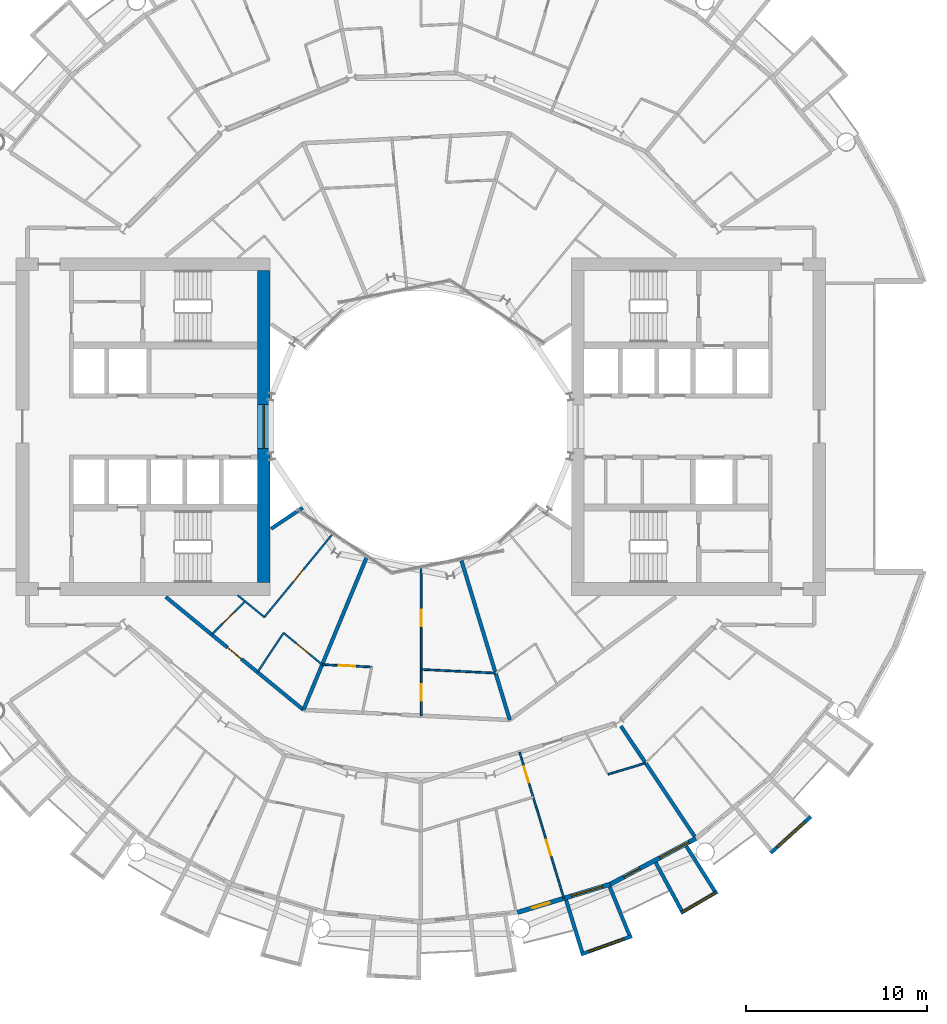
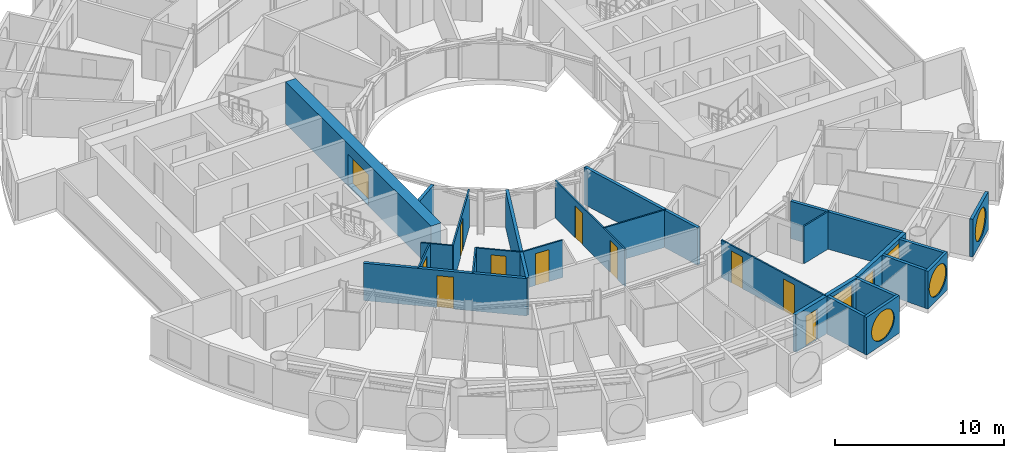
# One storey, part 15 of 26: 25 walls, 11 doors, 6 windows, 17 openings.
"""IFC4 building model written with IfcOpenShell, lengths in metres."""

from ifc_helpers import new_model, si_unit, direction, frame, frame_2d, origin, place, context, subcontext, project, spatial, rectangle, circle, extrude, material, layer, layer_set, type_object, element, fill, save


model = new_model("IFC4")

# Units and contexts
model_context = context("Model", 3, precision=1e-05, world=origin(), true_north=direction((0.0, 1.0)))
body_context = subcontext(model_context, "Body", "Model", "MODEL_VIEW")
ifc_project = project(units=[si_unit("LENGTHUNIT", "METRE"), si_unit("AREAUNIT", "SQUARE_METRE"), si_unit("VOLUMEUNIT", "CUBIC_METRE"), si_unit("PLANEANGLEUNIT", "RADIAN"), si_unit("MASSUNIT", "GRAM", prefix="KILO")], contexts=[model_context])

# Site, building, storey
site_placement = place(None, origin())
site = spatial("IfcSite", under=ifc_project, at=site_placement, CompositionType="ELEMENT")
building_placement = place(site_placement, origin())
building = spatial("IfcBuilding", under=site, at=building_placement, Name="Maasbend Ring Residences", CompositionType="ELEMENT")
storey_placement = place(building_placement, frame((0.0, 0.0, 69.699951171875)))
storey = spatial("IfcBuildingStorey", under=building, at=storey_placement, Name="L19", CompositionType="ELEMENT", Elevation=69.699951171875)

# Wall, opening, window
ifc_material_1 = material(Name="Concrete C70/85", Category="concrete")
ifc_layer_1 = layer(ifc_material_1, 0.699951171875)
ifc_layer_set_1 = layer_set([ifc_layer_1], Name="Concrete C70/85")
wall_type_1 = type_object("IfcWallType", Name="CORE WALL 700 C70/85", PredefinedType="SHEAR", material=ifc_layer_set_1)
wall_1_placement = place(storey_placement, frame((-8.64990234375, 8.60009765625, 0.0), z_axis=(0.0, 0.0, 1.0), x_axis=(0.0, -1.0, 0.0)))
wall_1 = element("IfcWall", 1, at=wall_1_placement, inside=storey, type_object=wall_type_1, Name="L19 core W wall PIN", PredefinedType="SHEAR", context=body_context, shape_type="SweptSolid", body=[
    extrude(rectangle(XDim=17.2001953125, YDim=0.699951171875, at=frame_2d((8.60009765625, 0.0))), origin(), (0.0, 0.0, 1.0), 3.050048828125),
])
opening_1_placement = place(wall_1_placement, frame((7.39990234375, 0.0, 0.10009765625)))
opening_1 = element("IfcOpeningElement", 2, at=opening_1_placement, cuts=wall_1, Name="Opening W-W1901", PredefinedType="OPENING", context=body_context, shape_type="SweptSolid", body=[
    extrude(rectangle(XDim=2.39990234375, YDim=2.199951171875, at=frame_2d((1.199951171875, 1.10009765625))), frame((0.0, 0.35986328125, 0.0), z_axis=(0.0, -1.0, 0.0), x_axis=(1.0, 0.0, 0.0)), (0.0, 0.0, 1.0), 0.719970703125),
])
ifc_material_2 = material(Name="Aluminium frame and clear glass", Category="aluminium")
window_type_1 = type_object("IfcWindowType", Name="FIXED WINDOW 2400 X 2200", PartitioningType="SINGLE_PANEL", PredefinedType="WINDOW", material=ifc_material_2)
window_1_placement = place(opening_1_placement, origin())
window_1 = element("IfcWindow", 3, at=window_1_placement, inside=storey, type_object=window_type_1, Name="Lobby window L19", OverallHeight=2.199951171875, OverallWidth=2.39990234375, PartitioningType="SINGLE_PANEL", PredefinedType="WINDOW", context=body_context, shape_type="SweptSolid", body=[
    extrude(rectangle(XDim=2.39990234375, YDim=2.199951171875, at=frame_2d((1.199951171875, 1.10009765625))), frame((0.0, 0.030029296875, 0.0), z_axis=(0.0, -1.0, 0.0), x_axis=(1.0, 0.0, 0.0)), (0.0, 0.0, 1.0), 0.06005859375),
])
fill(opening_1, window_1)

# Wall, opening, door
ifc_material_3 = material(Name="Concrete C30/37", Category="concrete")
ifc_layer_2 = layer(ifc_material_3, 0.199951171875)
ifc_layer_set_2 = layer_set([ifc_layer_2], Name="Concrete C30/37")
wall_type_2 = type_object("IfcWallType", Name="CORRIDOR WALL 200 CONCRETE", PredefinedType="PARTITIONING", material=ifc_layer_set_2)
wall_2_placement = place(storey_placement, frame((-14.050048828125, -9.39208984375, 0.0), z_axis=(0.0, 0.0, 1.0), x_axis=(0.773074935257, -0.634314704605, 0.0)))
wall_2 = element("IfcWall", 4, at=wall_2_placement, inside=storey, type_object=wall_type_2, Name="U-L19-w015", PredefinedType="PARTITIONING", context=body_context, shape_type="SweptSolid", body=[
    extrude(rectangle(XDim=9.808837890625, YDim=0.199951171875, at=frame_2d((4.904296875, 0.0))), origin(), (0.0, 0.0, 1.0), 2.699951171875),
])
opening_2_placement = place(wall_2_placement, frame((4.402099609375, 0.0, 0.0)))
opening_2 = element("IfcOpeningElement", 5, at=opening_2_placement, cuts=wall_2, Name="Opening D-1953", PredefinedType="OPENING", context=body_context, shape_type="SweptSolid", body=[
    extrude(rectangle(XDim=1.0, YDim=2.300048828125, at=frame_2d((0.5, 1.14990234375))), frame((0.0, 0.10986328125, 0.0), z_axis=(0.0, -1.0, 0.0), x_axis=(1.0, 0.0, 0.0)), (0.0, 0.0, 1.0), 0.219970703125),
])
ifc_material_4 = material(Name="Timber, fire-rated, painted", Category="wood")
door_type_1 = type_object("IfcDoorType", Name="FLAT ENTRANCE DOOR 1000 X 2300 FIRE-RATED", OperationType="NOTDEFINED", PredefinedType="DOOR", material=ifc_material_4)
door_1_placement = place(opening_2_placement, origin())
door_1 = element("IfcDoor", 6, at=door_1_placement, inside=storey, type_object=door_type_1, Name="D-1953", OperationType="SINGLE_SWING_LEFT", OverallHeight=2.300048828125, OverallWidth=1.0, PredefinedType="DOOR", context=body_context, shape_type="SweptSolid", body=[
    extrude(rectangle(XDim=1.0, YDim=2.300048828125, at=frame_2d((0.5, 1.14990234375))), frame((0.0, 0.02490234375, 0.0), z_axis=(0.0, -1.0, 0.0), x_axis=(1.0, 0.0, 0.0)), (0.0, 0.0, 1.0), 0.050048828125),
])
fill(opening_2, door_1)

# Wall, opening, window
ifc_material_5 = material(Name="Pale anodised aluminium panel", Category="aluminium")
ifc_layer_3 = layer(ifc_material_5, 0.199951171875)
ifc_layer_set_3 = layer_set([ifc_layer_3], Name="EW-BOX")
wall_type_3 = type_object("IfcWallType", Name="EW-BOX", PredefinedType="SOLIDWALL", material=ifc_layer_set_3)
wall_3_placement = place(storey_placement, frame((8.820068359375, -29.093017578125, -0.030029296875), z_axis=(0.0, 0.0, 1.0), x_axis=(0.941461077774, 0.337121697664, 0.0)))
wall_3 = element("IfcWall", 7, at=wall_3_placement, inside=storey, type_object=wall_type_3, Name="Box front S14", PredefinedType="SOLIDWALL", context=body_context, shape_type="SweptSolid", body=[
    extrude(rectangle(XDim=2.9931640625, YDim=0.199951171875, at=frame_2d((1.49658203125, 0.0))), origin(), (0.0, 0.0, 1.0), 2.72998046875),
])
opening_3_placement = place(wall_3_placement, frame((0.45654296875, 0.0, 0.330078125)))
opening_3 = element("IfcOpeningElement", 8, at=opening_3_placement, cuts=wall_3, Name="Opening W-RD", PredefinedType="OPENING", context=body_context, shape_type="SweptSolid", body=[
    extrude(circle(Radius=1.0400390625, at=frame_2d((1.0400390625, 1.0400390625))), frame((0.0, 0.10986328125, 0.0), z_axis=(0.0, -1.0, 0.0), x_axis=(1.0, 0.0, 0.0)), (0.0, 0.0, 1.0), 0.219970703125),
])
ifc_material_6 = material(Name="Aluminium and clear glass", Category="aluminium")
window_type_2 = type_object("IfcWindowType", Name="W-RD", PartitioningType="SINGLE_PANEL", PredefinedType="WINDOW", material=ifc_material_6)
window_2_placement = place(opening_3_placement, origin())
window_2 = element("IfcWindow", 9, at=window_2_placement, inside=storey, type_object=window_type_2, Name="Round window S14", OverallHeight=2.080078125, OverallWidth=2.080078125, PartitioningType="SINGLE_PANEL", PredefinedType="WINDOW", context=body_context, shape_type="SweptSolid", body=[
    extrude(circle(Radius=1.0400390625, at=frame_2d((1.0400390625, 1.0400390625))), frame((0.0, 0.030029296875, 0.0), z_axis=(0.0, -1.0, 0.0), x_axis=(1.0, 0.0, 0.0)), (0.0, 0.0, 1.0), 0.06005859375),
])
fill(opening_3, window_2)

# Walls
wall_4_placement = place(storey_placement, frame((8.009033203125, -26.092041015625, -0.030029296875), z_axis=(0.0, 0.0, 1.0), x_axis=(0.293406695073, -0.955987715029, 0.0)))
element("IfcWall", 10, at=wall_4_placement, inside=storey, type_object=wall_type_3, Name="Box side wall S14 left", PredefinedType="SOLIDWALL", context=body_context, shape_type="SweptSolid", body=[
    extrude(rectangle(XDim=3.00634765625, YDim=0.199951171875, at=frame_2d((1.503173828125, 0.0))), origin(), (0.0, 0.0, 1.0), 2.72998046875),
])
wall_5_placement = place(storey_placement, frame((10.408935546875, -25.364013671875, -0.030029296875), z_axis=(0.0, 0.0, 1.0), x_axis=(0.379509886562, -0.925187681501, 0.0)))
element("IfcWall", 11, at=wall_5_placement, inside=storey, type_object=wall_type_3, Name="Box side wall S14 right", PredefinedType="SOLIDWALL", context=body_context, shape_type="SweptSolid", body=[
    extrude(rectangle(XDim=2.882568359375, YDim=0.199951171875, at=frame_2d((1.44140625, 0.0))), origin(), (0.0, 0.0, 1.0), 2.72998046875),
])

# Wall, opening, window
wall_6_placement = place(storey_placement, frame((14.326904296875, -26.81201171875, -0.030029296875), z_axis=(0.0, 0.0, 1.0), x_axis=(0.863346521872, 0.504611517081, 0.0)))
wall_6 = element("IfcWall", 12, at=wall_6_placement, inside=storey, type_object=wall_type_3, Name="Box front S16", PredefinedType="SOLIDWALL", context=body_context, shape_type="SweptSolid", body=[
    extrude(rectangle(XDim=2.33642578125, YDim=0.199951171875, at=frame_2d((1.168212890625, 0.0))), origin(), (0.0, 0.0, 1.0), 2.72998046875),
])
opening_4_placement = place(wall_6_placement, frame((0.128173828125, 0.0, 0.330078125)))
opening_4 = element("IfcOpeningElement", 13, at=opening_4_placement, cuts=wall_6, Name="Opening W-RD", PredefinedType="OPENING", context=body_context, shape_type="SweptSolid", body=[
    extrude(circle(Radius=1.0400390625, at=frame_2d((1.0400390625, 1.0400390625))), frame((0.0, 0.10986328125, 0.0), z_axis=(0.0, -1.0, 0.0), x_axis=(1.0, 0.0, 0.0)), (0.0, 0.0, 1.0), 0.219970703125),
])
window_3_placement = place(opening_4_placement, origin())
window_3 = element("IfcWindow", 14, at=window_3_placement, inside=storey, type_object=window_type_2, Name="Round window S16", OverallHeight=2.080078125, OverallWidth=2.080078125, PartitioningType="SINGLE_PANEL", PredefinedType="WINDOW", context=body_context, shape_type="SweptSolid", body=[
    extrude(circle(Radius=1.0400390625, at=frame_2d((1.0400390625, 1.0400390625))), frame((0.0, 0.030029296875, 0.0), z_axis=(0.0, -1.0, 0.0), x_axis=(1.0, 0.0, 0.0)), (0.0, 0.0, 1.0), 0.06005859375),
])
fill(opening_4, window_3)

# Walls
wall_7_placement = place(storey_placement, frame((12.945068359375, -24.029052734375, -0.030029296875), z_axis=(0.0, 0.0, 1.0), x_axis=(0.474424310775, -0.88029629861, 0.0)))
element("IfcWall", 15, at=wall_7_placement, inside=storey, type_object=wall_type_3, Name="Box side wall S16 left", PredefinedType="SOLIDWALL", context=body_context, shape_type="SweptSolid", body=[
    extrude(rectangle(XDim=3.005859375, YDim=0.199951171875, at=frame_2d((1.5029296875, 0.0))), origin(), (0.0, 0.0, 1.0), 2.72998046875),
])
wall_8_placement = place(storey_placement, frame((14.635009765625, -23.1259765625, -0.030029296875), z_axis=(0.0, 0.0, 1.0), x_axis=(0.534437802731, -0.845207805816, 0.0)))
element("IfcWall", 16, at=wall_8_placement, inside=storey, type_object=wall_type_3, Name="Box side wall S16 right", PredefinedType="SOLIDWALL", context=body_context, shape_type="SweptSolid", body=[
    extrude(rectangle(XDim=2.931884765625, YDim=0.199951171875, at=frame_2d((1.4658203125, 0.0))), origin(), (0.0, 0.0, 1.0), 2.72998046875),
])

# Wall, opening, window
wall_9_placement = place(storey_placement, frame((19.281982421875, -23.5029296875, -0.030029296875), z_axis=(0.0, 0.0, 1.0), x_axis=(0.740998365753, 0.671506829416, 0.0)))
wall_9 = element("IfcWall", 17, at=wall_9_placement, inside=storey, type_object=wall_type_3, Name="Box front S18", PredefinedType="SOLIDWALL", context=body_context, shape_type="SweptSolid", body=[
    extrude(rectangle(XDim=2.9931640625, YDim=0.199951171875, at=frame_2d((1.49658203125, 0.0))), origin(), (0.0, 0.0, 1.0), 2.72998046875),
])
opening_5_placement = place(wall_9_placement, frame((0.45654296875, 0.0, 0.330078125)))
opening_5 = element("IfcOpeningElement", 18, at=opening_5_placement, cuts=wall_9, Name="Opening W-RD", PredefinedType="OPENING", context=body_context, shape_type="SweptSolid", body=[
    extrude(circle(Radius=1.0400390625, at=frame_2d((1.0400390625, 1.0400390625))), frame((0.0, 0.10986328125, 0.0), z_axis=(0.0, -1.0, 0.0), x_axis=(1.0, 0.0, 0.0)), (0.0, 0.0, 1.0), 0.219970703125),
])
window_4_placement = place(opening_5_placement, origin())
window_4 = element("IfcWindow", 19, at=window_4_placement, inside=storey, type_object=window_type_2, Name="Round window S18", OverallHeight=2.080078125, OverallWidth=2.080078125, PartitioningType="SINGLE_PANEL", PredefinedType="WINDOW", context=body_context, shape_type="SweptSolid", body=[
    extrude(circle(Radius=1.0400390625, at=frame_2d((1.0400390625, 1.0400390625))), frame((0.0, 0.030029296875, 0.0), z_axis=(0.0, -1.0, 0.0), x_axis=(1.0, 0.0, 0.0)), (0.0, 0.0, 1.0), 0.06005859375),
])
fill(opening_5, window_4)

# Wall, openings, door, window
ifc_material_7 = material(Name="Aluminium clad insulated panel", Category="aluminium")
ifc_layer_4 = layer(ifc_material_7, 0.25)
ifc_layer_set_4 = layer_set([ifc_layer_4], Name="EW-GL")
wall_type_4 = type_object("IfcWallType", Name="EW-GL", PredefinedType="SOLIDWALL", material=ifc_layer_set_4)
wall_10_placement = place(storey_placement, frame((5.325927734375, -26.77490234375, 0.0), z_axis=(0.0, 0.0, 1.0), x_axis=(0.956965678721, 0.290201119486, 0.0)))
wall_10 = element("IfcWall", 20, at=wall_10_placement, inside=storey, type_object=wall_type_4, Name="External wall S07", PredefinedType="SOLIDWALL", context=body_context, shape_type="SweptSolid", body=[
    extrude(rectangle(XDim=5.351318359375, YDim=0.25, at=frame_2d((2.67578125, 0.0))), origin(), (0.0, 0.0, 1.0), 2.699951171875),
])
opening_6_placement = place(wall_10_placement, frame((0.841064453125, 0.0, 0.0)))
opening_6 = element("IfcOpeningElement", 21, at=opening_6_placement, cuts=wall_10, Name="Opening D-LG", PredefinedType="OPENING", context=body_context, shape_type="SweptSolid", body=[
    extrude(rectangle(XDim=1.0, YDim=2.199951171875, at=frame_2d((0.5, 1.10009765625))), frame((0.0, 0.135009765625, 0.0), z_axis=(0.0, -1.0, 0.0), x_axis=(1.0, 0.0, 0.0)), (0.0, 0.0, 1.0), 0.27001953125),
])
opening_7_placement = place(wall_10_placement, frame((3.110595703125, 0.0, 0.300048828125)))
opening_7 = element("IfcOpeningElement", 22, at=opening_7_placement, cuts=wall_10, Name="Opening W-BX", PredefinedType="OPENING", context=body_context, shape_type="SweptSolid", body=[
    extrude(rectangle(XDim=1.800048828125, YDim=2.10009765625, at=frame_2d((0.89990234375, 1.050048828125))), frame((0.0, 0.135009765625, 0.0), z_axis=(0.0, -1.0, 0.0), x_axis=(1.0, 0.0, 0.0)), (0.0, 0.0, 1.0), 0.27001953125),
])
ifc_material_8 = material(Name="Aluminium and clear glass", Category="aluminium")
door_type_2 = type_object("IfcDoorType", Name="D-LG", OperationType="SINGLE_SWING_LEFT", PredefinedType="DOOR", material=ifc_material_8)
door_2_placement = place(opening_6_placement, origin())
door_2 = element("IfcDoor", 23, at=door_2_placement, inside=storey, type_object=door_type_2, Name="Loggia door S13", OperationType="SINGLE_SWING_LEFT", OverallHeight=2.199951171875, OverallWidth=1.0, PredefinedType="DOOR", context=body_context, shape_type="SweptSolid", body=[
    extrude(rectangle(XDim=1.0, YDim=2.199951171875, at=frame_2d((0.5, 1.10009765625))), frame((0.0, 0.02490234375, 0.0), z_axis=(0.0, -1.0, 0.0), x_axis=(1.0, 0.0, 0.0)), (0.0, 0.0, 1.0), 0.050048828125),
])
fill(opening_6, door_2)
ifc_material_9 = material(Name="Aluminium and clear glass", Category="aluminium")
window_type_3 = type_object("IfcWindowType", Name="W-BX", PartitioningType="DOUBLE_PANEL_VERTICAL", PredefinedType="WINDOW", material=ifc_material_9)
window_5_placement = place(opening_7_placement, origin())
window_5 = element("IfcWindow", 24, at=window_5_placement, inside=storey, type_object=window_type_3, Name="Window S14 room to box", OverallHeight=2.10009765625, OverallWidth=1.800048828125, PartitioningType="SINGLE_PANEL", PredefinedType="WINDOW", context=body_context, shape_type="SweptSolid", body=[
    extrude(rectangle(XDim=1.800048828125, YDim=2.10009765625, at=frame_2d((0.89990234375, 1.050048828125))), frame((0.0, 0.030029296875, 0.0), z_axis=(0.0, -1.0, 0.0), x_axis=(1.0, 0.0, 0.0)), (0.0, 0.0, 1.0), 0.06005859375),
])
fill(opening_7, window_5)

wall_11_placement = place(storey_placement, frame((10.447021484375, -25.221923828125, 0.0), z_axis=(0.0, 0.0, 1.0), x_axis=(0.881915646801, 0.471407246368, 0.0)))
wall_11 = element("IfcWall", 25, at=wall_11_placement, inside=storey, type_object=wall_type_4, Name="External wall S08", PredefinedType="SOLIDWALL", context=body_context, shape_type="SweptSolid", body=[
    extrude(rectangle(XDim=5.35205078125, YDim=0.25, at=frame_2d((2.676025390625, 0.0))), origin(), (0.0, 0.0, 1.0), 2.699951171875),
])
opening_8_placement = place(wall_11_placement, frame((0.841064453125, 0.0, 0.0)))
opening_8 = element("IfcOpeningElement", 26, at=opening_8_placement, cuts=wall_11, Name="Opening D-LG", PredefinedType="OPENING", context=body_context, shape_type="SweptSolid", body=[
    extrude(rectangle(XDim=1.0, YDim=2.199951171875, at=frame_2d((0.5, 1.10009765625))), frame((0.0, 0.135009765625, 0.0), z_axis=(0.0, -1.0, 0.0), x_axis=(1.0, 0.0, 0.0)), (0.0, 0.0, 1.0), 0.27001953125),
])
opening_9_placement = place(wall_11_placement, frame((3.110595703125, 0.0, 0.300048828125)))
opening_9 = element("IfcOpeningElement", 27, at=opening_9_placement, cuts=wall_11, Name="Opening W-BX", PredefinedType="OPENING", context=body_context, shape_type="SweptSolid", body=[
    extrude(rectangle(XDim=1.800048828125, YDim=2.10009765625, at=frame_2d((0.89990234375, 1.050048828125))), frame((0.0, 0.135009765625, 0.0), z_axis=(0.0, -1.0, 0.0), x_axis=(1.0, 0.0, 0.0)), (0.0, 0.0, 1.0), 0.27001953125),
])
door_3_placement = place(opening_8_placement, origin())
door_3 = element("IfcDoor", 28, at=door_3_placement, inside=storey, type_object=door_type_2, Name="Loggia door S15", OperationType="SINGLE_SWING_LEFT", OverallHeight=2.199951171875, OverallWidth=1.0, PredefinedType="DOOR", context=body_context, shape_type="SweptSolid", body=[
    extrude(rectangle(XDim=1.0, YDim=2.199951171875, at=frame_2d((0.5, 1.10009765625))), frame((0.0, 0.02490234375, 0.0), z_axis=(0.0, -1.0, 0.0), x_axis=(1.0, 0.0, 0.0)), (0.0, 0.0, 1.0), 0.050048828125),
])
fill(opening_8, door_3)
window_6_placement = place(opening_9_placement, origin())
window_6 = element("IfcWindow", 29, at=window_6_placement, inside=storey, type_object=window_type_3, Name="Window S16 room to box", OverallHeight=2.10009765625, OverallWidth=1.800048828125, PartitioningType="SINGLE_PANEL", PredefinedType="WINDOW", context=body_context, shape_type="SweptSolid", body=[
    extrude(rectangle(XDim=1.800048828125, YDim=2.10009765625, at=frame_2d((0.89990234375, 1.050048828125))), frame((0.0, 0.030029296875, 0.0), z_axis=(0.0, -1.0, 0.0), x_axis=(1.0, 0.0, 0.0)), (0.0, 0.0, 1.0), 0.06005859375),
])
fill(opening_9, window_6)

# Walls
ifc_material_10 = material(Name="Gypsum board on steel studs", Category="steel")
ifc_layer_5 = layer(ifc_material_10, 0.10009765625)
ifc_layer_set_5 = layer_set([ifc_layer_5], Name="PARTITION 100 GYPSUM")
wall_type_5 = type_object("IfcWallType", Name="PARTITION 100 GYPSUM", PredefinedType="PARTITIONING", material=ifc_layer_set_5)
wall_12_placement = place(storey_placement, frame((10.326904296875, -19.16796875, 0.0), z_axis=(0.0, 0.0, 1.0), x_axis=(0.956877769253, 0.290490851335, 0.0)))
element("IfcWall", 30, at=wall_12_placement, inside=storey, type_object=wall_type_5, Name="U-L19-w010", PredefinedType="PARTITIONING", context=body_context, shape_type="SweptSolid", body=[
    extrude(rectangle(XDim=2.158203125, YDim=0.10009765625, at=frame_2d((1.0791015625, 0.0))), origin(), (0.0, 0.0, 1.0), 2.699951171875),
])
wall_13_placement = place(storey_placement, frame((-10.093017578125, -9.2958984375, 0.0), z_axis=(0.0, 0.0, 1.0), x_axis=(0.772957368531, -0.6344579627, 0.0)))
element("IfcWall", 31, at=wall_13_placement, inside=storey, type_object=wall_type_5, Name="U-L19-w018", PredefinedType="PARTITIONING", context=body_context, shape_type="SweptSolid", body=[
    extrude(rectangle(XDim=1.905517578125, YDim=0.10009765625, at=frame_2d((0.95263671875, 0.0))), origin(), (0.0, 0.0, 1.0), 2.699951171875),
])

# Wall, opening, door
wall_14_placement = place(storey_placement, frame((-7.55810546875, -11.3759765625, 0.0), z_axis=(0.0, 0.0, 1.0), x_axis=(0.773049907698, -0.634345205868, 0.0)))
wall_14 = element("IfcWall", 32, at=wall_14_placement, inside=storey, type_object=wall_type_5, Name="U-L19-w019", PredefinedType="PARTITIONING", context=body_context, shape_type="SweptSolid", body=[
    extrude(rectangle(XDim=2.74755859375, YDim=0.10009765625, at=frame_2d((1.373779296875, 0.0))), origin(), (0.0, 0.0, 1.0), 2.699951171875),
])
opening_10_placement = place(wall_14_placement, frame((0.924072265625, 0.0, 0.0)))
opening_10 = element("IfcOpeningElement", 33, at=opening_10_placement, cuts=wall_14, Name="Opening D-1954", PredefinedType="OPENING", context=body_context, shape_type="SweptSolid", body=[
    extrude(rectangle(XDim=0.89990234375, YDim=2.300048828125, at=frame_2d((0.449951171875, 1.14990234375))), frame((0.0, 0.06005859375, 0.0), z_axis=(0.0, -1.0, 0.0), x_axis=(1.0, 0.0, 0.0)), (0.0, 0.0, 1.0), 0.1201171875),
])
ifc_material_11 = material(Name="Timber, painted", Category="wood")
door_type_3 = type_object("IfcDoorType", Name="INTERNAL DOOR 900 X 2300", OperationType="NOTDEFINED", PredefinedType="DOOR", material=ifc_material_11)
door_4_placement = place(opening_10_placement, origin())
door_4 = element("IfcDoor", 34, at=door_4_placement, inside=storey, type_object=door_type_3, Name="D-1954", OperationType="SINGLE_SWING_LEFT", OverallHeight=2.300048828125, OverallWidth=0.89990234375, PredefinedType="DOOR", context=body_context, shape_type="SweptSolid", body=[
    extrude(rectangle(XDim=0.89990234375, YDim=2.300048828125, at=frame_2d((0.449951171875, 1.14990234375))), frame((0.0, 0.02490234375, 0.0), z_axis=(0.0, -1.0, 0.0), x_axis=(1.0, 0.0, 0.0)), (0.0, 0.0, 1.0), 0.050048828125),
])
fill(opening_10, door_4)

wall_15_placement = place(storey_placement, frame((-5.43408203125, -13.118896484375, 0.0), z_axis=(0.0, 0.0, 1.0), x_axis=(0.998796928508, -0.049037695739, 0.0)))
wall_15 = element("IfcWall", 35, at=wall_15_placement, inside=storey, type_object=wall_type_5, Name="U-L19-w020", PredefinedType="PARTITIONING", context=body_context, shape_type="SweptSolid", body=[
    extrude(rectangle(XDim=2.733154296875, YDim=0.10009765625, at=frame_2d((1.36669921875, 0.0))), origin(), (0.0, 0.0, 1.0), 2.699951171875),
])
opening_11_placement = place(wall_15_placement, frame((0.9169921875, 0.0, 0.0)))
opening_11 = element("IfcOpeningElement", 36, at=opening_11_placement, cuts=wall_15, Name="Opening D-1958", PredefinedType="OPENING", context=body_context, shape_type="SweptSolid", body=[
    extrude(rectangle(XDim=0.89990234375, YDim=2.300048828125, at=frame_2d((0.449951171875, 1.14990234375))), frame((0.0, 0.06005859375, 0.0), z_axis=(0.0, -1.0, 0.0), x_axis=(1.0, 0.0, 0.0)), (0.0, 0.0, 1.0), 0.1201171875),
])
door_5_placement = place(opening_11_placement, origin())
door_5 = element("IfcDoor", 37, at=door_5_placement, inside=storey, type_object=door_type_3, Name="D-1958", OperationType="SINGLE_SWING_LEFT", OverallHeight=2.300048828125, OverallWidth=0.89990234375, PredefinedType="DOOR", context=body_context, shape_type="SweptSolid", body=[
    extrude(rectangle(XDim=0.89990234375, YDim=2.300048828125, at=frame_2d((0.449951171875, 1.14990234375))), frame((0.0, 0.02490234375, 0.0), z_axis=(0.0, -1.0, 0.0), x_axis=(1.0, 0.0, 0.0)), (0.0, 0.0, 1.0), 0.050048828125),
])
fill(opening_11, door_5)

# Wall
wall_16_placement = place(storey_placement, frame((0.030029296875, -13.386962890625, 0.0), z_axis=(0.0, 0.0, 1.0), x_axis=(0.998798386358, -0.049007993321, 0.0)))
element("IfcWall", 38, at=wall_16_placement, inside=storey, type_object=wall_type_5, Name="U-L19-w021", PredefinedType="PARTITIONING", context=body_context, shape_type="SweptSolid", body=[
    extrude(rectangle(XDim=4.099853515625, YDim=0.10009765625, at=frame_2d((2.0498046875, 0.0))), origin(), (0.0, 0.0, 1.0), 2.699951171875),
])

# Wall, opening, door
wall_17_placement = place(storey_placement, frame((-11.52392578125, -11.464111328125, 0.0), z_axis=(0.0, 0.0, 1.0), x_axis=(0.708796844581, 0.705412668665, 0.0)))
wall_17 = element("IfcWall", 39, at=wall_17_placement, inside=storey, type_object=wall_type_5, Name="U-L19-w041", PredefinedType="PARTITIONING", context=body_context, shape_type="SweptSolid", body=[
    extrude(rectangle(XDim=2.59716796875, YDim=0.10009765625, at=frame_2d((1.298583984375, 0.0))), origin(), (0.0, 0.0, 1.0), 2.699951171875),
])
opening_12_placement = place(wall_17_placement, frame((0.84912109375, 0.0, 0.0)))
opening_12 = element("IfcOpeningElement", 40, at=opening_12_placement, cuts=wall_17, Name="Opening D-1955", PredefinedType="OPENING", context=body_context, shape_type="SweptSolid", body=[
    extrude(rectangle(XDim=0.89990234375, YDim=2.300048828125, at=frame_2d((0.449951171875, 1.14990234375))), frame((0.0, 0.06005859375, 0.0), z_axis=(0.0, -1.0, 0.0), x_axis=(1.0, 0.0, 0.0)), (0.0, 0.0, 1.0), 0.1201171875),
])
door_6_placement = place(opening_12_placement, origin())
door_6 = element("IfcDoor", 41, at=door_6_placement, inside=storey, type_object=door_type_3, Name="D-1955", OperationType="SINGLE_SWING_RIGHT", OverallHeight=2.300048828125, OverallWidth=0.89990234375, PredefinedType="DOOR", context=body_context, shape_type="SweptSolid", body=[
    extrude(rectangle(XDim=0.89990234375, YDim=2.300048828125, at=frame_2d((0.449951171875, 1.14990234375))), frame((0.0, 0.02490234375, 0.0), z_axis=(0.0, -1.0, 0.0), x_axis=(1.0, 0.0, 0.0)), (0.0, 0.0, 1.0), 0.050048828125),
])
fill(opening_12, door_6)

# Wall
wall_18_placement = place(storey_placement, frame((-8.99609375, -13.5390625, 0.0), z_axis=(0.0, 0.0, 1.0), x_axis=(0.553615197403, 0.83277260594, 0.0)))
element("IfcWall", 42, at=wall_18_placement, inside=storey, type_object=wall_type_5, Name="U-L19-w045", PredefinedType="PARTITIONING", context=body_context, shape_type="SweptSolid", body=[
    extrude(rectangle(XDim=2.597412109375, YDim=0.10009765625, at=frame_2d((1.298828125, 0.0))), origin(), (0.0, 0.0, 1.0), 2.699951171875),
])

# Wall, opening, door
wall_19_placement = place(storey_placement, frame((-8.6201171875, -10.50390625, 0.0), z_axis=(0.0, 0.0, 1.0), x_axis=(0.634539754242, 0.772890225249, 0.0)))
wall_19 = element("IfcWall", 43, at=wall_19_placement, inside=storey, type_object=wall_type_5, Name="U-L19-w047", PredefinedType="PARTITIONING", context=body_context, shape_type="SweptSolid", body=[
    extrude(rectangle(XDim=5.867431640625, YDim=0.10009765625, at=frame_2d((2.93359375, 0.0))), origin(), (0.0, 0.0, 1.0), 2.699951171875),
])
opening_13_placement = place(wall_19_placement, frame((2.48388671875, 0.0, 0.0)))
opening_13 = element("IfcOpeningElement", 44, at=opening_13_placement, cuts=wall_19, Name="Opening D-1956", PredefinedType="OPENING", context=body_context, shape_type="SweptSolid", body=[
    extrude(rectangle(XDim=0.89990234375, YDim=2.300048828125, at=frame_2d((0.449951171875, 1.14990234375))), frame((0.0, 0.06005859375, 0.0), z_axis=(0.0, -1.0, 0.0), x_axis=(1.0, 0.0, 0.0)), (0.0, 0.0, 1.0), 0.1201171875),
])
door_7_placement = place(opening_13_placement, origin())
door_7 = element("IfcDoor", 45, at=door_7_placement, inside=storey, type_object=door_type_3, Name="D-1956", OperationType="SINGLE_SWING_RIGHT", OverallHeight=2.300048828125, OverallWidth=0.89990234375, PredefinedType="DOOR", context=body_context, shape_type="SweptSolid", body=[
    extrude(rectangle(XDim=0.89990234375, YDim=2.300048828125, at=frame_2d((0.449951171875, 1.14990234375))), frame((0.0, 0.02490234375, 0.0), z_axis=(0.0, -1.0, 0.0), x_axis=(1.0, 0.0, 0.0)), (0.0, 0.0, 1.0), 0.050048828125),
])
fill(opening_13, door_7)

# Wall, openings, doors
wall_20_placement = place(storey_placement, frame((0.031982421875, -15.93310546875, 0.0), z_axis=(0.0, 0.0, 1.0), x_axis=(-0.0019321625, 0.999998133372, 0.0)))
wall_20 = element("IfcWall", 46, at=wall_20_placement, inside=storey, type_object=wall_type_5, Name="U-L19-w061", PredefinedType="PARTITIONING", context=body_context, shape_type="SweptSolid", body=[
    extrude(rectangle(XDim=8.213134765625, YDim=0.10009765625, at=frame_2d((4.1064453125, 0.0))), origin(), (0.0, 0.0, 1.0), 2.699951171875),
])
opening_14_placement = place(wall_20_placement, frame((0.822998046875, 0.0, 0.0)))
opening_14 = element("IfcOpeningElement", 47, at=opening_14_placement, cuts=wall_20, Name="Opening D-1959", PredefinedType="OPENING", context=body_context, shape_type="SweptSolid", body=[
    extrude(rectangle(XDim=0.89990234375, YDim=2.300048828125, at=frame_2d((0.449951171875, 1.14990234375))), frame((0.0, 0.06005859375, 0.0), z_axis=(0.0, -1.0, 0.0), x_axis=(1.0, 0.0, 0.0)), (0.0, 0.0, 1.0), 0.1201171875),
])
opening_15_placement = place(wall_20_placement, frame((4.929931640625, 0.0, 0.0)))
opening_15 = element("IfcOpeningElement", 48, at=opening_15_placement, cuts=wall_20, Name="Opening D-1960", PredefinedType="OPENING", context=body_context, shape_type="SweptSolid", body=[
    extrude(rectangle(XDim=0.89990234375, YDim=2.300048828125, at=frame_2d((0.449951171875, 1.14990234375))), frame((0.0, 0.06005859375, 0.0), z_axis=(0.0, -1.0, 0.0), x_axis=(1.0, 0.0, 0.0)), (0.0, 0.0, 1.0), 0.1201171875),
])
door_8_placement = place(opening_14_placement, origin())
door_8 = element("IfcDoor", 49, at=door_8_placement, inside=storey, type_object=door_type_3, Name="D-1959", OperationType="SINGLE_SWING_LEFT", OverallHeight=2.300048828125, OverallWidth=0.89990234375, PredefinedType="DOOR", context=body_context, shape_type="SweptSolid", body=[
    extrude(rectangle(XDim=0.89990234375, YDim=2.300048828125, at=frame_2d((0.449951171875, 1.14990234375))), frame((0.0, 0.02490234375, 0.0), z_axis=(0.0, -1.0, 0.0), x_axis=(1.0, 0.0, 0.0)), (0.0, 0.0, 1.0), 0.050048828125),
])
fill(opening_14, door_8)
door_9_placement = place(opening_15_placement, origin())
door_9 = element("IfcDoor", 50, at=door_9_placement, inside=storey, type_object=door_type_3, Name="D-1960", OperationType="SINGLE_SWING_RIGHT", OverallHeight=2.300048828125, OverallWidth=0.89990234375, PredefinedType="DOOR", context=body_context, shape_type="SweptSolid", body=[
    extrude(rectangle(XDim=0.89990234375, YDim=2.300048828125, at=frame_2d((0.449951171875, 1.14990234375))), frame((0.0, 0.02490234375, 0.0), z_axis=(0.0, -1.0, 0.0), x_axis=(1.0, 0.0, 0.0)), (0.0, 0.0, 1.0), 0.050048828125),
])
fill(opening_15, door_9)

wall_21_placement = place(storey_placement, frame((5.445068359375, -17.947998046875, 0.0), z_axis=(0.0, 0.0, 1.0), x_axis=(0.290158700753, -0.956978541231, 0.0)))
wall_21 = element("IfcWall", 51, at=wall_21_placement, inside=storey, type_object=wall_type_5, Name="U-L19-w071", PredefinedType="PARTITIONING", context=body_context, shape_type="SweptSolid", body=[
    extrude(rectangle(XDim=8.419189453125, YDim=0.10009765625, at=frame_2d((4.20947265625, 0.0))), origin(), (0.0, 0.0, 1.0), 2.699951171875),
])
opening_16_placement = place(wall_21_placement, frame((0.842041015625, 0.0, 0.0)))
opening_16 = element("IfcOpeningElement", 52, at=opening_16_placement, cuts=wall_21, Name="Opening D-1945", PredefinedType="OPENING", context=body_context, shape_type="SweptSolid", body=[
    extrude(rectangle(XDim=0.89990234375, YDim=2.300048828125, at=frame_2d((0.449951171875, 1.14990234375))), frame((0.0, 0.06005859375, 0.0), z_axis=(0.0, -1.0, 0.0), x_axis=(1.0, 0.0, 0.0)), (0.0, 0.0, 1.0), 0.1201171875),
])
opening_17_placement = place(wall_21_placement, frame((5.052001953125, 0.0, 0.0)))
opening_17 = element("IfcOpeningElement", 53, at=opening_17_placement, cuts=wall_21, Name="Opening D-1946", PredefinedType="OPENING", context=body_context, shape_type="SweptSolid", body=[
    extrude(rectangle(XDim=0.89990234375, YDim=2.300048828125, at=frame_2d((0.449951171875, 1.14990234375))), frame((0.0, 0.06005859375, 0.0), z_axis=(0.0, -1.0, 0.0), x_axis=(1.0, 0.0, 0.0)), (0.0, 0.0, 1.0), 0.1201171875),
])
door_10_placement = place(opening_16_placement, origin())
door_10 = element("IfcDoor", 54, at=door_10_placement, inside=storey, type_object=door_type_3, Name="D-1945", OperationType="SINGLE_SWING_LEFT", OverallHeight=2.300048828125, OverallWidth=0.89990234375, PredefinedType="DOOR", context=body_context, shape_type="SweptSolid", body=[
    extrude(rectangle(XDim=0.89990234375, YDim=2.300048828125, at=frame_2d((0.449951171875, 1.14990234375))), frame((0.0, 0.02490234375, 0.0), z_axis=(0.0, -1.0, 0.0), x_axis=(1.0, 0.0, 0.0)), (0.0, 0.0, 1.0), 0.050048828125),
])
fill(opening_16, door_10)
door_11_placement = place(opening_17_placement, origin())
door_11 = element("IfcDoor", 55, at=door_11_placement, inside=storey, type_object=door_type_3, Name="D-1946", OperationType="SINGLE_SWING_RIGHT", OverallHeight=2.300048828125, OverallWidth=0.89990234375, PredefinedType="DOOR", context=body_context, shape_type="SweptSolid", body=[
    extrude(rectangle(XDim=0.89990234375, YDim=2.300048828125, at=frame_2d((0.449951171875, 1.14990234375))), frame((0.0, 0.02490234375, 0.0), z_axis=(0.0, -1.0, 0.0), x_axis=(1.0, 0.0, 0.0)), (0.0, 0.0, 1.0), 0.050048828125),
])
fill(opening_17, door_11)

# Walls
ifc_material_12 = material(Name="Concrete C30/37", Category="concrete")
ifc_layer_6 = layer(ifc_material_12, 0.199951171875)
ifc_layer_set_6 = layer_set([ifc_layer_6], Name="Concrete C30/37")
wall_type_6 = type_object("IfcWallType", Name="PARTY WALL 200 CONCRETE", PredefinedType="PARTITIONING", material=ifc_layer_set_6)
wall_22_placement = place(storey_placement, frame((-6.512939453125, -4.471923828125, 0.0), z_axis=(0.0, 0.0, 1.0), x_axis=(-0.831382204863, -0.555701025225, 0.0)))
element("IfcWall", 56, at=wall_22_placement, inside=storey, type_object=wall_type_6, Name="U-L19-w026", PredefinedType="PARTITIONING", context=body_context, shape_type="SweptSolid", body=[
    extrude(rectangle(XDim=2.08203125, YDim=0.199951171875, at=frame_2d((1.041015625, 0.0))), origin(), (0.0, 0.0, 1.0), 2.699951171875),
])
wall_23_placement = place(storey_placement, frame((-6.467041015625, -15.614013671875, 0.0), z_axis=(0.0, 0.0, 1.0), x_axis=(0.382646942224, 0.923894646378, 0.0)))
element("IfcWall", 57, at=wall_23_placement, inside=storey, type_object=wall_type_6, Name="U-L19-w051", PredefinedType="PARTITIONING", context=body_context, shape_type="SweptSolid", body=[
    extrude(rectangle(XDim=9.1806640625, YDim=0.199951171875, at=frame_2d((4.59033203125, 0.0))), origin(), (0.0, 0.0, 1.0), 2.699951171875),
])
wall_24_placement = place(storey_placement, frame((2.241943359375, -7.387939453125, 0.0), z_axis=(0.0, 0.0, 1.0), x_axis=(0.290225889812, -0.956958166736, 0.0)))
element("IfcWall", 58, at=wall_24_placement, inside=storey, type_object=wall_type_6, Name="U-L19-w066", PredefinedType="PARTITIONING", context=body_context, shape_type="SweptSolid", body=[
    extrude(rectangle(XDim=9.17919921875, YDim=0.199951171875, at=frame_2d((4.589599609375, 0.0))), origin(), (0.0, 0.0, 1.0), 2.699951171875),
])
wall_25_placement = place(storey_placement, frame((11.033935546875, -16.514892578125, 0.0), z_axis=(0.0, 0.0, 1.0), x_axis=(0.555701298605, -0.831382022135, 0.0)))
element("IfcWall", 59, at=wall_25_placement, inside=storey, type_object=wall_type_6, Name="U-L19-w076", PredefinedType="PARTITIONING", context=body_context, shape_type="SweptSolid", body=[
    extrude(rectangle(XDim=7.313232421875, YDim=0.199951171875, at=frame_2d((3.65673828125, 0.0))), origin(), (0.0, 0.0, 1.0), 2.699951171875),
])

save(model, "model.ifc")
